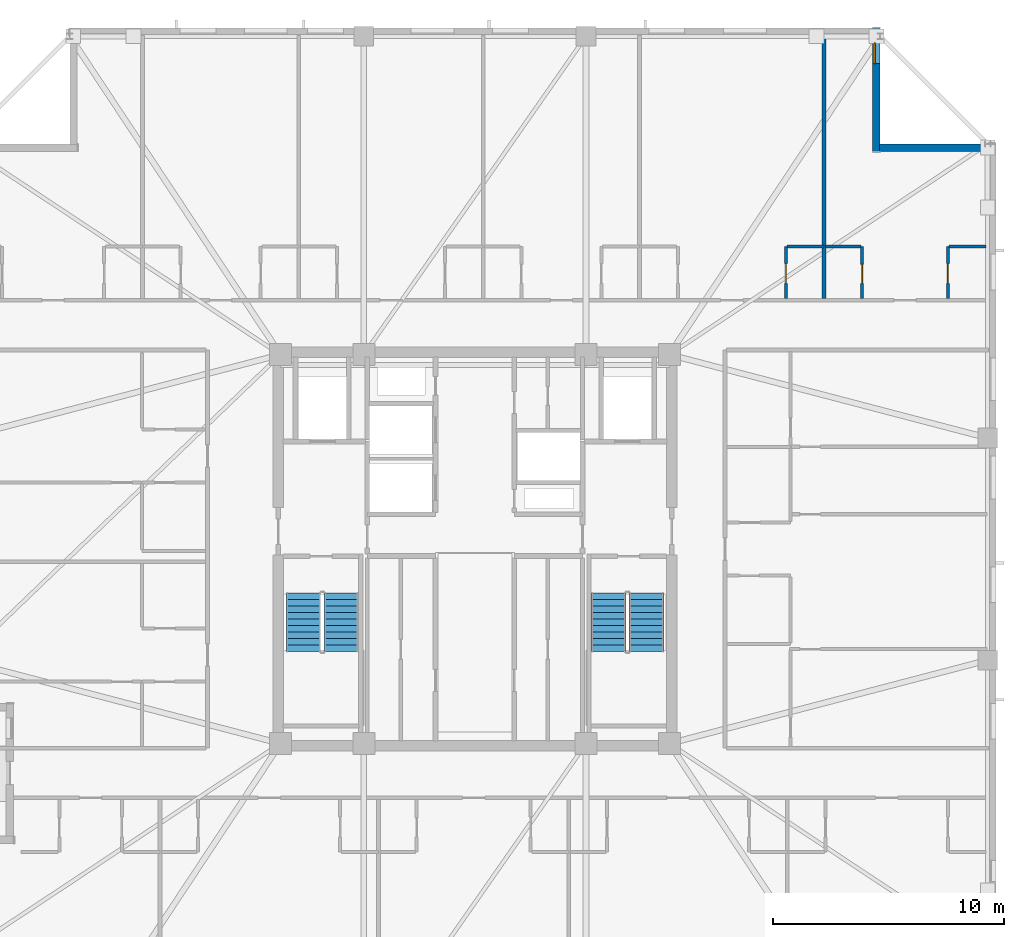
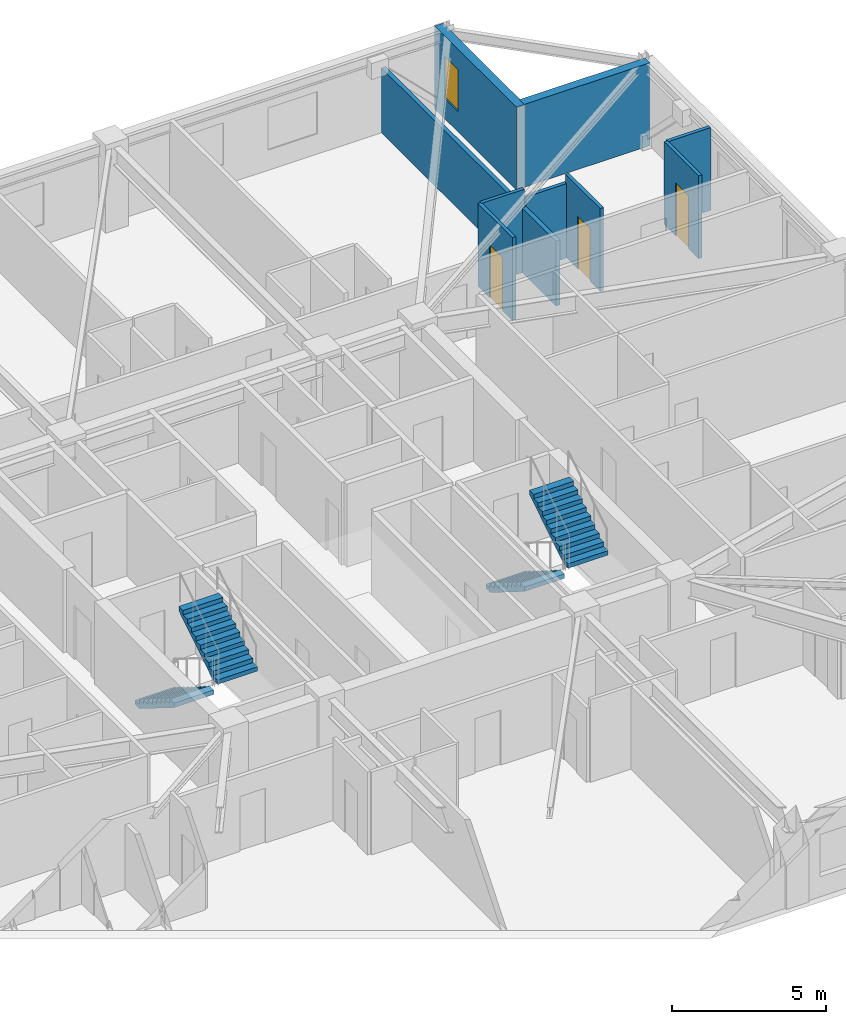
# One storey, part 12 of 17: 9 walls, 4 stair flights, 3 doors, 1 window, 4 openings, 2 elements without a shape of their own.
"""IFC4 building model written with IfcOpenShell, lengths in metres."""

from ifc_helpers import new_model, si_unit, direction, frame, frame_2d, origin, place, context, subcontext, project, spatial, polyline, rectangle, outline, extrude, material, layer, layer_set, type_object, element, fill, aggregate, save


model = new_model("IFC4")

# Units and contexts
model_context = context("Model", 3, precision=1e-05, world=origin(), true_north=direction((0.0, 1.0)))
body_context = subcontext(model_context, "Body", "Model", "MODEL_VIEW")
ifc_project = project(units=[si_unit("LENGTHUNIT", "METRE"), si_unit("AREAUNIT", "SQUARE_METRE"), si_unit("VOLUMEUNIT", "CUBIC_METRE"), si_unit("PLANEANGLEUNIT", "RADIAN"), si_unit("MASSUNIT", "GRAM", prefix="KILO")], contexts=[model_context])

# Site, building, storey
site_placement = place(None, origin())
site = spatial("IfcSite", under=ifc_project, at=site_placement, CompositionType="ELEMENT")
building_placement = place(site_placement, origin())
building = spatial("IfcBuilding", under=site, at=building_placement, Name="Cairnveth Concourse Tower", CompositionType="ELEMENT")
storey_placement = place(building_placement, frame((0.0, 0.0, 248.0)))
storey = spatial("IfcBuildingStorey", under=building, at=storey_placement, Name="L68", CompositionType="ELEMENT", Elevation=248.0)

# Wall
ifc_material_1 = material(Name="Gypsum Plasterboard Partition", Category="gypsum")
ifc_layer_1 = layer(ifc_material_1, 0.159912109375)
ifc_layer_set_1 = layer_set([ifc_layer_1], Name="Gypsum Plasterboard Partition")
wall_type_1 = type_object("IfcWallType", Name="ACOUSTIC PARTY WALL 180", PredefinedType="PARTITIONING", material=ifc_layer_set_1)
wall_1_placement = place(storey_placement, frame((67.077392578125, 49.827392578125, 0.0), z_axis=(0.0, 0.0, 1.0), x_axis=(0.0, 1.0, 0.0)))
element("IfcWall", 1, at=wall_1_placement, inside=storey, type_object=wall_type_1, Name="Interior Wall IW-L68-092", PredefinedType="PARTITIONING", context=body_context, shape_type="SweptSolid", body=[
    extrude(rectangle(XDim=11.36767578125, YDim=0.159912109375, at=frame_2d((5.683837890625, 0.0))), origin(), (0.0, 0.0, 1.0), 2.572998046875),
])

# Wall, opening, door
ifc_layer_2 = layer(ifc_material_1, 0.1298828125)
ifc_layer_set_2 = layer_set([ifc_layer_2], Name="Gypsum Plasterboard Partition")
wall_type_2 = type_object("IfcWallType", Name="WET AREA PARTITION 140", PredefinedType="PLUMBINGWALL", material=ifc_layer_set_2)
wall_2_placement = place(storey_placement, frame((65.427490234375, 49.827392578125, 0.0), z_axis=(0.0, 0.0, 1.0), x_axis=(0.0, 1.0, 0.0)))
wall_2 = element("IfcWall", 2, at=wall_2_placement, inside=storey, type_object=wall_type_2, Name="Interior Wall IW-L68-090", PredefinedType="PLUMBINGWALL", context=body_context, shape_type="SweptSolid", body=[
    extrude(rectangle(XDim=2.25, YDim=0.1298828125, at=frame_2d((1.125, 0.0))), origin(), (0.0, 0.0, 1.0), 3.2900390625),
])
opening_1_placement = place(wall_2_placement, frame((0.64990234375, 0.0, 0.0)))
opening_1 = element("IfcOpeningElement", 3, at=opening_1_placement, cuts=wall_2, Name="Opening ID20", PredefinedType="OPENING", context=body_context, shape_type="SweptSolid", body=[
    extrude(rectangle(XDim=0.85009765625, YDim=2.10009765625, at=frame_2d((0.425048828125, 1.050048828125))), frame((0.0, 0.074951171875, 0.0), z_axis=(0.0, -1.0, 0.0), x_axis=(1.0, 0.0, 0.0)), (0.0, 0.0, 1.0), 0.14990234375),
])
ifc_material_2 = material(Name="Solid Core Hardwood Timber Leaf", Category="wood")
door_type_1 = type_object("IfcDoorType", Name="INTERIOR SINGLE DOOR 850X2100", OperationType="NOTDEFINED", PredefinedType="DOOR", material=ifc_material_2)
door_1_placement = place(opening_1_placement, origin())
door_1 = element("IfcDoor", 4, at=door_1_placement, inside=storey, type_object=door_type_1, Name="L68STN5 Kitchen Door", OperationType="SINGLE_SWING_LEFT", OverallHeight=2.10009765625, OverallWidth=0.85009765625, PredefinedType="DOOR", context=body_context, shape_type="SweptSolid", body=[
    extrude(rectangle(XDim=0.85009765625, YDim=2.10009765625, at=frame_2d((0.425048828125, 1.050048828125))), frame((0.0, 0.02490234375, 0.0), z_axis=(0.0, -1.0, 0.0), x_axis=(1.0, 0.0, 0.0)), (0.0, 0.0, 1.0), 0.050048828125),
])
fill(opening_1, door_1)

# Wall
wall_3_placement = place(storey_placement, frame((65.4775390625, 52.077392578125, 0.0), z_axis=(0.0, 0.0, 1.0), x_axis=(1.0, 0.0, 0.0)))
element("IfcWall", 5, at=wall_3_placement, inside=storey, type_object=wall_type_2, Name="Interior Wall IW-L68-091", PredefinedType="PLUMBINGWALL", context=body_context, shape_type="SweptSolid", body=[
    extrude(rectangle(XDim=1.599853515625, YDim=0.1298828125, at=frame_2d((0.7998046875, 0.0))), origin(), (0.0, 0.0, 1.0), 3.2900390625),
])

# Wall, opening, door
wall_4_placement = place(storey_placement, frame((68.7275390625, 49.827392578125, 0.0), z_axis=(0.0, 0.0, 1.0), x_axis=(0.0, 1.0, 0.0)))
wall_4 = element("IfcWall", 6, at=wall_4_placement, inside=storey, type_object=wall_type_2, Name="Interior Wall IW-L68-093", PredefinedType="PLUMBINGWALL", context=body_context, shape_type="SweptSolid", body=[
    extrude(rectangle(XDim=2.25, YDim=0.1298828125, at=frame_2d((1.125, 0.0))), origin(), (0.0, 0.0, 1.0), 3.2900390625),
])
opening_2_placement = place(wall_4_placement, frame((0.64990234375, 0.0, 0.0)))
opening_2 = element("IfcOpeningElement", 7, at=opening_2_placement, cuts=wall_4, Name="Opening ID22", PredefinedType="OPENING", context=body_context, shape_type="SweptSolid", body=[
    extrude(rectangle(XDim=0.820068359375, YDim=2.10009765625, at=frame_2d((0.41015625, 1.050048828125))), frame((0.0, 0.074951171875, 0.0), z_axis=(0.0, -1.0, 0.0), x_axis=(1.0, 0.0, 0.0)), (0.0, 0.0, 1.0), 0.14990234375),
])
door_type_2 = type_object("IfcDoorType", Name="INTERIOR WC DOOR 820X2100", OperationType="NOTDEFINED", PredefinedType="DOOR", material=ifc_material_2)
door_2_placement = place(opening_2_placement, origin())
door_2 = element("IfcDoor", 8, at=door_2_placement, inside=storey, type_object=door_type_2, Name="L68STN6 Bathroom Door", OperationType="SINGLE_SWING_LEFT", OverallHeight=2.10009765625, OverallWidth=0.820068359375, PredefinedType="DOOR", context=body_context, shape_type="SweptSolid", body=[
    extrude(rectangle(XDim=0.820068359375, YDim=2.10009765625, at=frame_2d((0.41015625, 1.050048828125))), frame((0.0, 0.02490234375, 0.0), z_axis=(0.0, -1.0, 0.0), x_axis=(1.0, 0.0, 0.0)), (0.0, 0.0, 1.0), 0.050048828125),
])
fill(opening_2, door_2)

# Wall
wall_5_placement = place(storey_placement, frame((67.142578125, 52.077392578125, 0.0), z_axis=(0.0, 0.0, 1.0), x_axis=(1.0, 0.0, 0.0)))
element("IfcWall", 9, at=wall_5_placement, inside=storey, type_object=wall_type_2, Name="Interior Wall IW-L68-094", PredefinedType="PLUMBINGWALL", context=body_context, shape_type="SweptSolid", body=[
    extrude(rectangle(XDim=1.534912109375, YDim=0.1298828125, at=frame_2d((0.767578125, 0.0))), origin(), (0.0, 0.0, 1.0), 2.9580078125),
])

# Wall, opening, door
wall_6_placement = place(storey_placement, frame((72.429931640625, 49.827392578125, 0.0), z_axis=(0.0, 0.0, 1.0), x_axis=(0.0, 1.0, 0.0)))
wall_6 = element("IfcWall", 10, at=wall_6_placement, inside=storey, type_object=wall_type_2, Name="Interior Wall IW-L68-095", PredefinedType="PLUMBINGWALL", context=body_context, shape_type="SweptSolid", body=[
    extrude(rectangle(XDim=2.25, YDim=0.1298828125, at=frame_2d((1.125, 0.0))), origin(), (0.0, 0.0, 1.0), 3.2900390625),
])
opening_3_placement = place(wall_6_placement, frame((0.64990234375, 0.0, 0.0)))
opening_3 = element("IfcOpeningElement", 11, at=opening_3_placement, cuts=wall_6, Name="Opening ID20", PredefinedType="OPENING", context=body_context, shape_type="SweptSolid", body=[
    extrude(rectangle(XDim=0.85009765625, YDim=2.10009765625, at=frame_2d((0.425048828125, 1.050048828125))), frame((0.0, 0.074951171875, 0.0), z_axis=(0.0, -1.0, 0.0), x_axis=(1.0, 0.0, 0.0)), (0.0, 0.0, 1.0), 0.14990234375),
])
door_3_placement = place(opening_3_placement, origin())
door_3 = element("IfcDoor", 12, at=door_3_placement, inside=storey, type_object=door_type_1, Name="L68STN6 Kitchen Door", OperationType="SINGLE_SWING_RIGHT", OverallHeight=2.10009765625, OverallWidth=0.85009765625, PredefinedType="DOOR", context=body_context, shape_type="SweptSolid", body=[
    extrude(rectangle(XDim=0.85009765625, YDim=2.10009765625, at=frame_2d((0.425048828125, 1.050048828125))), frame((0.0, 0.02490234375, 0.0), z_axis=(0.0, -1.0, 0.0), x_axis=(1.0, 0.0, 0.0)), (0.0, 0.0, 1.0), 0.050048828125),
])
fill(opening_3, door_3)

# Wall
wall_7_placement = place(storey_placement, frame((72.47998046875, 52.077392578125, 0.0), z_axis=(0.0, 0.0, 1.0), x_axis=(1.0, 0.0, 0.0)))
element("IfcWall", 13, at=wall_7_placement, inside=storey, type_object=wall_type_2, Name="Interior Wall IW-L68-096", PredefinedType="PLUMBINGWALL", context=body_context, shape_type="SweptSolid", body=[
    extrude(rectangle(XDim=1.60009765625, YDim=0.1298828125, at=frame_2d((0.800048828125, 0.0))), origin(), (0.0, 0.0, 1.0), 3.2900390625),
])

# Wall, opening, window
ifc_material_3 = material(Name="Melbourne Buff Fired Clay Brick Masonry", Category="masonry")
ifc_layer_3 = layer(ifc_material_3, 0.320068359375)
ifc_layer_set_3 = layer_set([ifc_layer_3], Name="Melbourne Buff Fired Clay Brick Masonry")
wall_type_3 = type_object("IfcWallType", Name="ZONE 3 BRICK PIER SPANDREL WALL 320", PredefinedType="SOLIDWALL", material=ifc_layer_set_3)
wall_8_placement = place(storey_placement, frame((69.340087890625, 61.5, 0.0), z_axis=(0.0, 0.0, 1.0), x_axis=(0.0, -1.0, 0.0)))
wall_8 = element("IfcWall", 14, at=wall_8_placement, inside=storey, type_object=wall_type_3, Name="Exterior Wall EW-L68-S04", PredefinedType="SOLIDWALL", context=body_context, shape_type="SweptSolid", body=[
    extrude(rectangle(XDim=5.320068359375, YDim=0.320068359375, at=frame_2d((2.66015625, 0.0))), origin(), (0.0, 0.0, 1.0), 3.2900390625),
])
opening_4_placement = place(wall_8_placement, frame((0.6298828125, 0.0, 0.800048828125)))
opening_4 = element("IfcOpeningElement", 15, at=opening_4_placement, cuts=wall_8, Name="Opening W13", PredefinedType="OPENING", context=body_context, shape_type="SweptSolid", body=[
    extrude(rectangle(XDim=0.89990234375, YDim=1.677978515625, at=frame_2d((0.449951171875, 0.8388671875))), frame((0.0, 0.169921875, 0.0), z_axis=(0.0, -1.0, 0.0), x_axis=(1.0, 0.0, 0.0)), (0.0, 0.0, 1.0), 0.340087890625),
])
ifc_material_4 = material(Name="Double Glazed Low-E Clear Glass", Category="glass")
window_type = type_object("IfcWindowType", Name="DEEP-SET BEDROOM LANCET WINDOW 900X1750", PartitioningType="DOUBLE_PANEL_VERTICAL", PredefinedType="WINDOW", material=ifc_material_4)
window_placement = place(opening_4_placement, origin())
window = element("IfcWindow", 16, at=window_placement, inside=storey, type_object=window_type, Name="Dwelling Lancet Window L68-DW4", OverallHeight=1.677978515625, OverallWidth=0.89990234375, PartitioningType="SINGLE_PANEL", PredefinedType="WINDOW", context=body_context, shape_type="SweptSolid", body=[
    extrude(rectangle(XDim=0.89990234375, YDim=1.677978515625, at=frame_2d((0.449951171875, 0.8388671875))), frame((0.0, -0.0400390625, 0.0), z_axis=(0.0, -1.0, 0.0), x_axis=(1.0, 0.0, 0.0)), (0.0, 0.0, 1.0), 0.06005859375),
])
fill(opening_4, window)

# Wall
wall_9_placement = place(storey_placement, frame((69.47802734375, 56.340087890625, 0.0), z_axis=(0.0, 0.0, 1.0), x_axis=(1.0, 0.0, 0.0)))
element("IfcWall", 17, at=wall_9_placement, inside=storey, type_object=wall_type_3, Name="Exterior Wall EW-L68-S05", PredefinedType="SOLIDWALL", context=body_context, shape_type="SweptSolid", body=[
    extrude(rectangle(XDim=4.723876953125, YDim=0.320068359375, at=frame_2d((2.36181640625, 0.0))), origin(), (0.0, 0.0, 1.0), 3.2900390625),
])

# Stair, stair flights
ifc_material_5 = material(Name="Precast concrete N50 (50 MPa)", Category="concrete")
stair_type = type_object("IfcStairType", Name="CORE DOG-LEG FIRE STAIR 1500", PredefinedType="HALF_TURN_STAIR", material=ifc_material_5)
stair_1_placement = place(storey_placement, origin())
stair_1 = element("IfcStair", 18, at=stair_1_placement, inside=storey, type_object=stair_type, Name="L68 Fire-Isolated Stair ST-1", PredefinedType="HALF_TURN_STAIR")
stair_flight_type = type_object("IfcStairFlightType", Name="PRECAST CONCRETE STAIR FLIGHT 1500", PredefinedType="STRAIGHT", material=ifc_material_5)
stair_flight_1_placement = place(storey_placement, frame((44.590087890625, 37.10009765625, 0.0), z_axis=(0.0, 0.0, 1.0), x_axis=(0.0, -1.0, 0.0)))
stair_flight_1 = element("IfcStairFlight", 19, at=stair_flight_1_placement, type_object=stair_flight_type, Name="ST-1 flight 1", NumberOfRisers=10, NumberOfTreads=9, PredefinedType="STRAIGHT", RiserHeight=0.175, TreadLength=0.28, context=body_context, shape_type="SweptSolid", body=[
    extrude(outline(polyline([(0.0, 0.0), (0.0, 0.175048828125), (0.280029296875, 0.175048828125), (0.280029296875, 0.35009765625), (0.56005859375, 0.35009765625), (0.56005859375, 0.52490234375), (0.840087890625, 0.52490234375), (0.840087890625, 0.699951171875), (1.1201171875, 0.699951171875), (1.1201171875, 0.875), (1.39990234375, 0.875), (1.39990234375, 1.050048828125), (1.679931640625, 1.050048828125), (1.679931640625, 1.22509765625), (1.9599609375, 1.22509765625), (1.9599609375, 1.39990234375), (2.239990234375, 1.39990234375), (2.239990234375, 1.574951171875), (2.52001953125, 1.574951171875), (2.52001953125, 1.75), (2.52001953125, 1.398193359375), (0.28271484375, 0.0), (0.0, 0.0)])), frame((0.0, 0.75, 0.0), z_axis=(0.0, -1.0, 0.0), x_axis=(1.0, 0.0, 0.0)), (0.0, 0.0, 1.0), 1.5),
])
stair_flight_2_placement = place(storey_placement, frame((46.22998046875, 34.580078125, 1.75), z_axis=(0.0, 0.0, 1.0), x_axis=(0.0, 1.0, 0.0)))
stair_flight_2 = element("IfcStairFlight", 20, at=stair_flight_2_placement, type_object=stair_flight_type, Name="ST-1 flight 2", NumberOfRisers=10, NumberOfTreads=9, PredefinedType="STRAIGHT", RiserHeight=0.175, TreadLength=0.28, context=body_context, shape_type="SweptSolid", body=[
    extrude(outline(polyline([(0.0, 0.0), (0.0, 0.175048828125), (0.280029296875, 0.175048828125), (0.280029296875, 0.35009765625), (0.56005859375, 0.35009765625), (0.56005859375, 0.52490234375), (0.840087890625, 0.52490234375), (0.840087890625, 0.699951171875), (1.1201171875, 0.699951171875), (1.1201171875, 0.875), (1.39990234375, 0.875), (1.39990234375, 1.050048828125), (1.679931640625, 1.050048828125), (1.679931640625, 1.22509765625), (1.9599609375, 1.22509765625), (1.9599609375, 1.39990234375), (2.239990234375, 1.39990234375), (2.239990234375, 1.574951171875), (2.52001953125, 1.574951171875), (2.52001953125, 1.75), (2.52001953125, 1.398193359375), (0.28271484375, 0.0), (0.0, 0.0)])), frame((0.0, 0.75, 0.0), z_axis=(0.0, -1.0, 0.0), x_axis=(1.0, 0.0, 0.0)), (0.0, 0.0, 1.0), 1.5),
])
aggregate(stair_1, [stair_flight_1, stair_flight_2])

stair_2_placement = place(storey_placement, origin())
stair_2 = element("IfcStair", 21, at=stair_2_placement, inside=storey, type_object=stair_type, Name="L68 Fire-Isolated Stair ST-2", PredefinedType="HALF_TURN_STAIR")
stair_flight_3_placement = place(storey_placement, frame((57.77001953125, 37.10009765625, 0.0), z_axis=(0.0, 0.0, 1.0), x_axis=(0.0, -1.0, 0.0)))
stair_flight_3 = element("IfcStairFlight", 22, at=stair_flight_3_placement, type_object=stair_flight_type, Name="ST-2 flight 1", NumberOfRisers=10, NumberOfTreads=9, PredefinedType="STRAIGHT", RiserHeight=0.175, TreadLength=0.28, context=body_context, shape_type="SweptSolid", body=[
    extrude(outline(polyline([(0.0, 0.0), (0.0, 0.175048828125), (0.280029296875, 0.175048828125), (0.280029296875, 0.35009765625), (0.56005859375, 0.35009765625), (0.56005859375, 0.52490234375), (0.840087890625, 0.52490234375), (0.840087890625, 0.699951171875), (1.1201171875, 0.699951171875), (1.1201171875, 0.875), (1.39990234375, 0.875), (1.39990234375, 1.050048828125), (1.679931640625, 1.050048828125), (1.679931640625, 1.22509765625), (1.9599609375, 1.22509765625), (1.9599609375, 1.39990234375), (2.239990234375, 1.39990234375), (2.239990234375, 1.574951171875), (2.52001953125, 1.574951171875), (2.52001953125, 1.75), (2.52001953125, 1.398193359375), (0.28271484375, 0.0), (0.0, 0.0)])), frame((0.0, 0.75, 0.0), z_axis=(0.0, -1.0, 0.0), x_axis=(1.0, 0.0, 0.0)), (0.0, 0.0, 1.0), 1.5),
])
stair_flight_4_placement = place(storey_placement, frame((59.409912109375, 34.580078125, 1.75), z_axis=(0.0, 0.0, 1.0), x_axis=(0.0, 1.0, 0.0)))
stair_flight_4 = element("IfcStairFlight", 23, at=stair_flight_4_placement, type_object=stair_flight_type, Name="ST-2 flight 2", NumberOfRisers=10, NumberOfTreads=9, PredefinedType="STRAIGHT", RiserHeight=0.175, TreadLength=0.28, context=body_context, shape_type="SweptSolid", body=[
    extrude(outline(polyline([(0.0, 0.0), (0.0, 0.175048828125), (0.280029296875, 0.175048828125), (0.280029296875, 0.35009765625), (0.56005859375, 0.35009765625), (0.56005859375, 0.52490234375), (0.840087890625, 0.52490234375), (0.840087890625, 0.699951171875), (1.1201171875, 0.699951171875), (1.1201171875, 0.875), (1.39990234375, 0.875), (1.39990234375, 1.050048828125), (1.679931640625, 1.050048828125), (1.679931640625, 1.22509765625), (1.9599609375, 1.22509765625), (1.9599609375, 1.39990234375), (2.239990234375, 1.39990234375), (2.239990234375, 1.574951171875), (2.52001953125, 1.574951171875), (2.52001953125, 1.75), (2.52001953125, 1.398193359375), (0.28271484375, 0.0), (0.0, 0.0)])), frame((0.0, 0.75, 0.0), z_axis=(0.0, -1.0, 0.0), x_axis=(1.0, 0.0, 0.0)), (0.0, 0.0, 1.0), 1.5),
])
aggregate(stair_2, [stair_flight_3, stair_flight_4])

save(model, "model.ifc")
